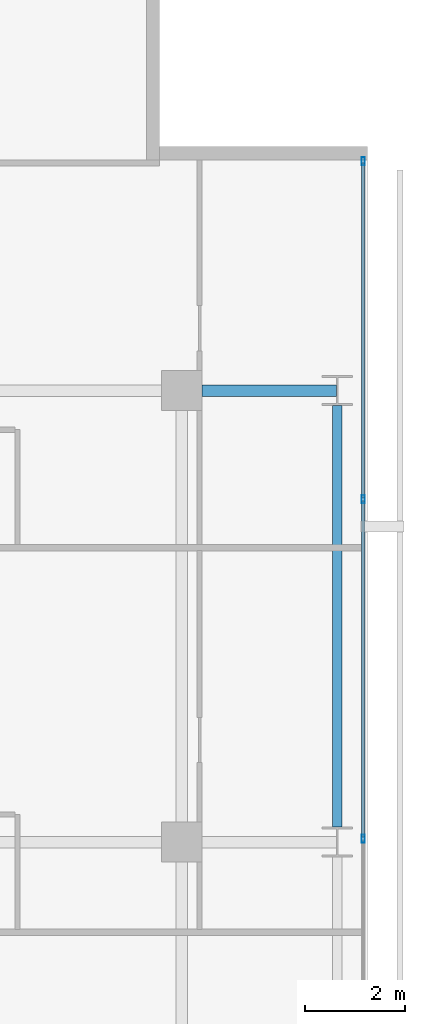
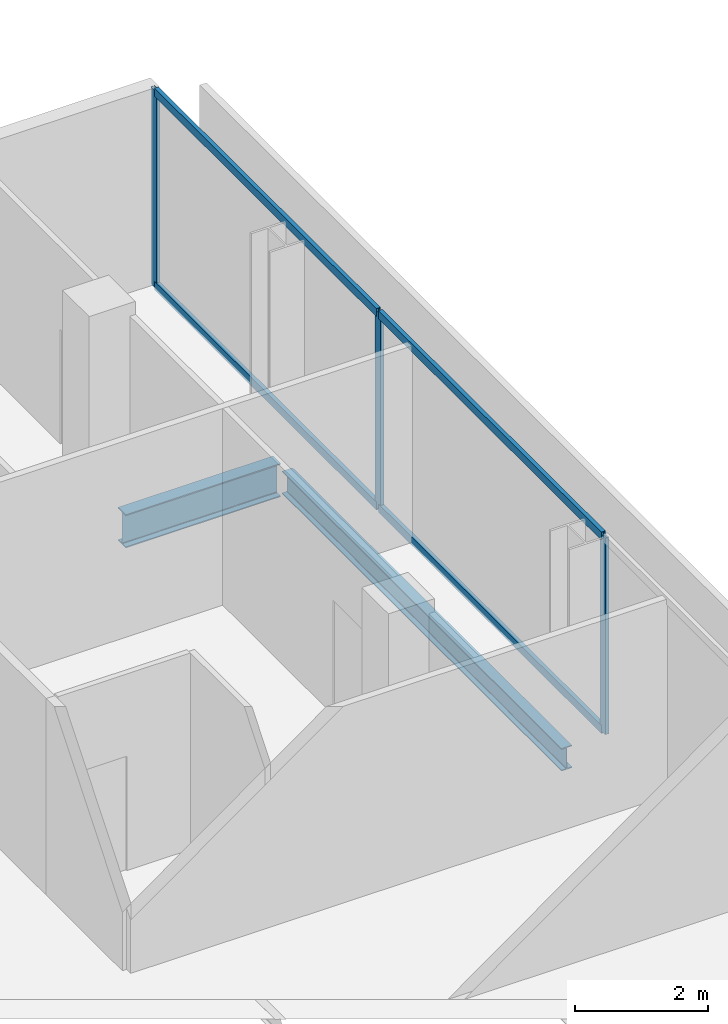
# One storey, part 24 of 33: 7 members, 2 beams, 1 element without a shape of its own.
"""IFC4 building model written with IfcOpenShell, lengths in metres."""

import ifcopenshell
import ifcopenshell.guid

model = None  # the IFC model being written
_history = None  # IfcOwnerHistory: only IFC2X3 demands one
_inside = {}  # id of a spatial element -> (the spatial element, [elements in it])
_under = {}  # id of a project, library or spatial element -> (it, [spatial elements below it])
_declared = {}  # id of a project -> (the project, [libraries it declares])
_typed = {}  # id of a type object -> (the type object, [elements of that type])
_made_of = {}  # id of a material, layer set ... -> (it, [elements and type objects made of it])


def new_model(schema):
    """Start an empty IFC model of exactly this schema.

    Asked for "IFC4X3", IfcOpenShell would pick the latest addendum, in which some entities
    have other attributes; the version numbers below select the first issue.
    IFC2X3 requires an IfcOwnerHistory on every rooted entity: one is made here for all.
    """
    global model, _history
    if schema == "IFC4X3":
        model = ifcopenshell.file(schema_version=(4, 3, 0, 0))
    else:
        model = ifcopenshell.file(schema=schema)
    _inside.clear()
    _under.clear()
    _declared.clear()
    _typed.clear()
    _made_of.clear()
    _history = None
    if model.schema == "IFC2X3":
        org = make("IfcOrganization", Name="unknown")
        user = make(
            "IfcPersonAndOrganization",
            ThePerson=make("IfcPerson", FamilyName="unknown"),
            TheOrganization=org,
        )
        app = make(
            "IfcApplication",
            ApplicationDeveloper=org,
            Version="unknown",
            ApplicationFullName="unknown",
            ApplicationIdentifier="unknown",
        )
        _history = make(
            "IfcOwnerHistory",
            OwningUser=user,
            OwningApplication=app,
            ChangeAction="ADDED",
            CreationDate=0,
        )
    return model


def make(cls, **values):
    """One entity of the class cls with the attributes given. An attribute that is None is left unset."""
    return model.create_entity(
        cls, **{name: value for name, value in values.items() if value is not None}
    )


def rooted(cls, **values):
    """An entity with a GlobalId (a new one), such as an element, a storey or a relation."""
    return make(cls, GlobalId=ifcopenshell.guid.new(), OwnerHistory=_history, **values)


def si_unit(unit_type, name, prefix=None):
    """IfcSIUnit, for example si_unit("LENGTHUNIT", "METRE", prefix="MILLI")."""
    return make("IfcSIUnit", UnitType=unit_type, Prefix=prefix, Name=name)


def assignment(units):
    """IfcUnitAssignment: the units of a project."""
    return None if units is None else make("IfcUnitAssignment", Units=units)


def point(xyz):
    """IfcCartesianPoint."""
    return None if xyz is None else make("IfcCartesianPoint", Coordinates=xyz)


def direction(xyz):
    """IfcDirection."""
    return None if xyz is None else make("IfcDirection", DirectionRatios=xyz)


def frame(location, z_axis=None, x_axis=None):
    """IfcAxis2Placement3D, a coordinate frame: its origin and axes. An axis left out is left unset."""
    return make(
        "IfcAxis2Placement3D",
        Location=point(location),
        Axis=direction(z_axis),
        RefDirection=direction(x_axis),
    )


def frame_2d(location, x_axis=None):
    """IfcAxis2Placement2D, a coordinate frame in the plane: its origin and x axis."""
    return make(
        "IfcAxis2Placement2D", Location=point(location), RefDirection=direction(x_axis)
    )


def origin():
    """The frame at (0, 0, 0) with its axes left unset."""
    return frame((0.0, 0.0, 0.0))


def origin_2d():
    """The frame at (0, 0) in the plane with its x axis left unset."""
    return frame_2d((0.0, 0.0))


def place(relative_to, where):
    """IfcLocalPlacement: puts the frame where relative to a parent placement (None: the world)."""
    return make(
        "IfcLocalPlacement", PlacementRelTo=relative_to, RelativePlacement=where
    )


def context(
    kind, dimensions, precision=None, world=None, true_north=None, identifier=None
):
    """IfcGeometricRepresentationContext, for example the 3D "Model" context."""
    return make(
        "IfcGeometricRepresentationContext",
        ContextIdentifier=identifier,
        ContextType=kind,
        CoordinateSpaceDimension=dimensions,
        Precision=precision,
        WorldCoordinateSystem=world,
        TrueNorth=true_north,
    )


def subcontext(parent, identifier, kind, view, scale=None):
    """IfcGeometricRepresentationSubContext, for example "Body" below "Model"."""
    return make(
        "IfcGeometricRepresentationSubContext",
        ContextIdentifier=identifier,
        ContextType=kind,
        ParentContext=parent,
        TargetScale=scale,
        TargetView=view,
    )


def project(units=None, contexts=None):
    """IfcProject with its units and contexts."""
    return rooted(
        "IfcProject",
        Name="project",
        RepresentationContexts=contexts,
        UnitsInContext=assignment(units),
    )


def spatial(cls, under=None, at=None, **own):
    """A site, building, storey or space (cls), placed at a placement, below another one or the project."""
    s = rooted(cls, ObjectPlacement=at, **own)
    if under is not None:
        _under.setdefault(under.id(), (under, []))[1].append(s)
    return s


def profile(cls, at=None, kind="AREA", **sizes):
    """A parametric profile (cls). Its sizes go by their IFC names, for example OverallWidth=200.0."""
    return make(cls, ProfileType=kind, Position=at, **sizes)


def hollow_rectangle(**sizes):
    """IfcRectangleHollowProfileDef."""
    return profile("IfcRectangleHollowProfileDef", **sizes)


def i_section(**sizes):
    """IfcIShapeProfileDef."""
    return profile("IfcIShapeProfileDef", **sizes)


def extrude(swept, where, along, depth):
    """IfcExtrudedAreaSolid: the profile swept, set in the frame where, extruded along a direction by depth."""
    return make(
        "IfcExtrudedAreaSolid",
        SweptArea=swept,
        Position=where,
        ExtrudedDirection=direction(along),
        Depth=depth,
    )


def shape(context_of_items, identifier, shape_type, items):
    """IfcShapeRepresentation: the items that make up one representation, for example the "Body"."""
    return make(
        "IfcShapeRepresentation",
        ContextOfItems=context_of_items,
        RepresentationIdentifier=identifier,
        RepresentationType=shape_type,
        Items=items,
    )


def material(Name=None, Category=None):
    """IfcMaterial."""
    return make("IfcMaterial", Name=Name, Category=Category)


def layer(
    of_material, thickness, ventilated=None, Name=None, Category=None, Priority=None
):
    """IfcMaterialLayer: one layer of a wall or slab, of a material (None: an air gap)."""
    return make(
        "IfcMaterialLayer",
        Material=of_material,
        LayerThickness=thickness,
        IsVentilated=ventilated,
        Name=Name,
        Category=Category,
        Priority=Priority,
    )


def layer_set(layers, Name=None):
    """IfcMaterialLayerSet."""
    return make("IfcMaterialLayerSet", MaterialLayers=layers, LayerSetName=Name)


def material_profile(
    of_material, cross_section, Name=None, Category=None, Priority=None
):
    """IfcMaterialProfile: a cross section and its material."""
    return make(
        "IfcMaterialProfile",
        Name=Name,
        Material=of_material,
        Profile=cross_section,
        Priority=Priority,
        Category=Category,
    )


def profile_set(profiles, Name=None, composite=None):
    """IfcMaterialProfileSet."""
    return make(
        "IfcMaterialProfileSet",
        Name=Name,
        MaterialProfiles=profiles,
        CompositeProfile=composite,
    )


def made_of(thing, what):
    """Note that an element or type object is made of a material, layer set ...; save() writes the relation."""
    if what is not None:
        _made_of.setdefault(what.id(), (what, []))[1].append(thing)
    return thing


def type_object(cls, material=None, **own):
    """A type object (cls), such as IfcWallType, which elements share."""
    return made_of(rooted(cls, **own), material)


def element(
    cls,
    number,
    at=None,
    inside=None,
    cuts=None,
    type_object=None,
    material=None,
    context=None,
    identifier="Body",
    shape_type=None,
    held_by="IfcProductDefinitionShape",
    body=None,
    shapes=None,
    **own,
):
    """One element of the class cls, such as IfcWall. Its Tag is "e" and its number.

    at: its placement. inside: the storey or other place that contains it. cuts: it is an
    opening in that element (IfcRelVoidsElement). A single representation is given by context,
    identifier, shape_type and body (its items); several are given by shapes. held_by: the class
    of the entity that holds the representations. save() writes the other relations.
    """
    e = rooted(cls, Tag="e%d" % number, ObjectPlacement=at, **own)
    if body is not None:
        shapes = [shape(context, identifier, shape_type, body)]
    if shapes is not None:
        e.Representation = make(held_by, Representations=shapes)
    if inside is not None:
        _inside.setdefault(inside.id(), (inside, []))[1].append(e)
    if cuts is not None:
        rooted(
            "IfcRelVoidsElement", RelatingBuildingElement=cuts, RelatedOpeningElement=e
        )
    if type_object is not None:
        _typed.setdefault(type_object.id(), (type_object, []))[1].append(e)
    return made_of(e, material)


def aggregate(whole, parts):
    """IfcRelAggregates: a whole, such as a stair, and the parts it consists of."""
    return rooted("IfcRelAggregates", RelatingObject=whole, RelatedObjects=parts)


def save(model, path):
    """Write the relations noted so far, then the file.

    IfcRelAggregates (storeys below a building ...), IfcRelContainedInSpatialStructure (elements
    in a storey), IfcRelDefinesByType, IfcRelAssociatesMaterial and IfcRelDeclares: one each for
    every whole, place, type object, material and project.
    """
    for whole, parts in _under.values():
        aggregate(whole, parts)
    for where, things in _inside.values():
        rooted(
            "IfcRelContainedInSpatialStructure",
            RelatedElements=things,
            RelatingStructure=where,
        )
    for kind, things in _typed.values():
        rooted("IfcRelDefinesByType", RelatedObjects=things, RelatingType=kind)
    for what, things in _made_of.values():
        rooted("IfcRelAssociatesMaterial", RelatedObjects=things, RelatingMaterial=what)
    for by, libraries in _declared.values():
        rooted("IfcRelDeclares", RelatingContext=by, RelatedDefinitions=libraries)
    model.write(path)


model = new_model("IFC4")

# Units and contexts
model_context = context("Model", 3, precision=1e-05, world=origin(), true_north=direction((0.0, 1.0)))
body_context = subcontext(model_context, "Body", "Model", "MODEL_VIEW")
ifc_project = project(units=[si_unit("LENGTHUNIT", "METRE"), si_unit("AREAUNIT", "SQUARE_METRE"), si_unit("VOLUMEUNIT", "CUBIC_METRE"), si_unit("PLANEANGLEUNIT", "RADIAN"), si_unit("MASSUNIT", "GRAM", prefix="KILO")], contexts=[model_context])

# Site, building, storey
site_placement = place(None, origin())
site = spatial("IfcSite", under=ifc_project, at=site_placement, CompositionType="ELEMENT")
building_placement = place(site_placement, origin())
building = spatial("IfcBuilding", under=site, at=building_placement, Name="Maruvema Waterfront Hotel and Observation Tower", CompositionType="ELEMENT")
storey_placement = place(building_placement, frame((0.0, 0.0, 142.800048828125)))
storey = spatial("IfcBuildingStorey", under=building, at=storey_placement, Name="L34", CompositionType="ELEMENT", Elevation=142.800048828125)

# Curtain wall, members
ifc_material_1 = material(Name="Anodised bronze aluminium and solar-control low-E IGU", Category="aluminium")
ifc_layer = layer(ifc_material_1, 0.159912109375, Name="Zone 2 Amber Inner Thermal Curtain Wall System CW-03")
ifc_layer_set = layer_set([ifc_layer], Name="Anodised bronze aluminium and solar-control low-E IGU")
curtain_wall_type = type_object("IfcCurtainWallType", Name="Zone 2 Amber Inner Thermal Curtain Wall System CW-03", PredefinedType="USERDEFINED", material=ifc_layer_set)
curtain_wall_placement = place(storey_placement, origin())
curtain_wall = element("IfcCurtainWall", 1, at=curtain_wall_placement, inside=storey, type_object=curtain_wall_type, Name="L34 Curtain Wall CW-L34-E", ObjectType="UNITISED CURTAIN WALL", PredefinedType="USERDEFINED")
ifc_material_2 = material(Name="Anodised architectural bronze aluminium", Category="aluminium")
ifc_material_profile_1 = material_profile(ifc_material_2, hollow_rectangle(XDim=0.070068359375, YDim=0.14990234375, WallThickness=0.00390625, at=origin_2d()), Name="ALU-T70x150")
ifc_profile_set_1 = profile_set([ifc_material_profile_1], Name="Anodised architectural bronze aluminium")
member_type_1 = type_object("IfcMemberType", Name="Curtain Wall Horizontal Transom ALU-T70x150", PredefinedType="USERDEFINED", material=ifc_profile_set_1)
member_1_placement = place(storey_placement, frame((62.419921875, 36.0966796875, 0.030029296875), z_axis=(0.0, 1.0, 0.0), x_axis=(-1.0, 0.0, 0.0)))
member_1 = element("IfcMember", 2, at=member_1_placement, type_object=member_type_1, Name="CW-03 transom 5.1", ObjectType="TRANSOM", PredefinedType="USERDEFINED", context=body_context, shape_type="SweptSolid", body=[
    extrude(hollow_rectangle(XDim=0.070068359375, YDim=0.14990234375, WallThickness=0.00390625, at=origin_2d()), origin(), (0.0, 0.0, 1.0), 6.70654296875),
])
member_2_placement = place(storey_placement, frame((62.419921875, 36.0966796875, 3.579833984375), z_axis=(0.0, 1.0, 0.0), x_axis=(-1.0, 0.0, 0.0)))
member_2 = element("IfcMember", 3, at=member_2_placement, type_object=member_type_1, Name="CW-03 transom 5.2", ObjectType="TRANSOM", PredefinedType="USERDEFINED", context=body_context, shape_type="SweptSolid", body=[
    extrude(hollow_rectangle(XDim=0.070068359375, YDim=0.14990234375, WallThickness=0.00390625, at=origin_2d()), origin(), (0.0, 0.0, 1.0), 6.70654296875),
])
member_3_placement = place(storey_placement, frame((62.419921875, 42.86328125, 0.030029296875), z_axis=(0.0, 1.0, 0.0), x_axis=(-1.0, 0.0, 0.0)))
member_3 = element("IfcMember", 4, at=member_3_placement, type_object=member_type_1, Name="CW-03 transom 6.1", ObjectType="TRANSOM", PredefinedType="USERDEFINED", context=body_context, shape_type="SweptSolid", body=[
    extrude(hollow_rectangle(XDim=0.070068359375, YDim=0.14990234375, WallThickness=0.00390625, at=origin_2d()), origin(), (0.0, 0.0, 1.0), 6.6767578125),
])
member_4_placement = place(storey_placement, frame((62.419921875, 42.86328125, 3.579833984375), z_axis=(0.0, 1.0, 0.0), x_axis=(-1.0, 0.0, 0.0)))
member_4 = element("IfcMember", 5, at=member_4_placement, type_object=member_type_1, Name="CW-03 transom 6.2", ObjectType="TRANSOM", PredefinedType="USERDEFINED", context=body_context, shape_type="SweptSolid", body=[
    extrude(hollow_rectangle(XDim=0.070068359375, YDim=0.14990234375, WallThickness=0.00390625, at=origin_2d()), origin(), (0.0, 0.0, 1.0), 6.6767578125),
])
ifc_material_3 = material(Name="Anodised architectural bronze aluminium", Category="aluminium")
ifc_material_profile_2 = material_profile(ifc_material_3, hollow_rectangle(XDim=0.06494140625, YDim=0.1650390625, WallThickness=0.00390625, at=origin_2d()), Name="ALU-M65x165")
ifc_profile_set_2 = profile_set([ifc_material_profile_2], Name="Anodised architectural bronze aluminium")
member_type_2 = type_object("IfcMemberType", Name="Curtain Wall Primary Mullion ALU-M65x165", PredefinedType="MULLION", material=ifc_profile_set_2)
member_5_placement = place(storey_placement, frame((62.419921875, 36.066650390625, 0.0), z_axis=(0.0, 0.0, 1.0), x_axis=(-1.0, 0.0, 0.0)))
member_5 = element("IfcMember", 6, at=member_5_placement, type_object=member_type_2, Name="CW-03 mullion 5", PredefinedType="MULLION", context=body_context, shape_type="SweptSolid", body=[
    extrude(hollow_rectangle(XDim=0.06494140625, YDim=0.1650390625, WallThickness=0.00390625, at=origin_2d()), origin(), (0.0, 0.0, 1.0), 3.60986328125),
])
member_6_placement = place(storey_placement, frame((62.419921875, 42.833251953125, 0.0), z_axis=(0.0, 0.0, 1.0), x_axis=(-1.0, 0.0, 0.0)))
member_6 = element("IfcMember", 7, at=member_6_placement, type_object=member_type_2, Name="CW-03 mullion 6", PredefinedType="MULLION", context=body_context, shape_type="SweptSolid", body=[
    extrude(hollow_rectangle(XDim=0.06494140625, YDim=0.1650390625, WallThickness=0.00390625, at=origin_2d()), origin(), (0.0, 0.0, 1.0), 3.60986328125),
])
member_7_placement = place(storey_placement, frame((62.419921875, 49.570068359375, 0.0), z_axis=(0.0, 0.0, 1.0), x_axis=(-1.0, 0.0, 0.0)))
member_7 = element("IfcMember", 8, at=member_7_placement, type_object=member_type_2, Name="CW-03 mullion 7", PredefinedType="MULLION", context=body_context, shape_type="SweptSolid", body=[
    extrude(hollow_rectangle(XDim=0.06494140625, YDim=0.1650390625, WallThickness=0.00390625, at=origin_2d()), origin(), (0.0, 0.0, 1.0), 3.60986328125),
])
aggregate(curtain_wall, [member_5, member_6, member_7, member_1, member_2, member_3, member_4])

# Beams
ifc_material_4 = material(Name="Steel ASTM A572 Grade 50", Category="steel")
ifc_material_profile_3 = material_profile(ifc_material_4, i_section(OverallWidth=0.180908203125, OverallDepth=0.4169921875, WebThickness=0.010986328125, FlangeThickness=0.018310546875, FilletRadius=0.014892578125, at=origin_2d()), Name="W410x85.0")
ifc_profile_set_3 = profile_set([ifc_material_profile_3], Name="Steel ASTM A572 Grade 50")
beam_type_1 = type_object("IfcBeamType", Name="Perimeter Spandrel Beam W410x85.0", PredefinedType="SPANDREL", material=ifc_profile_set_3)
beam_1_placement = place(storey_placement, frame((61.89990234375, 36.300048828125, -0.448486328125), z_axis=(0.0, 1.0, 0.0), x_axis=(-1.0, 0.0, 0.0)))
element("IfcBeam", 9, at=beam_1_placement, inside=storey, type_object=beam_type_1, Name="L34 Floor Girder NS-32", PredefinedType="SPANDREL", context=body_context, shape_type="SweptSolid", body=[
    extrude(i_section(OverallWidth=0.180908203125, OverallDepth=0.4169921875, WebThickness=0.010986328125, FlangeThickness=0.018310546875, FilletRadius=0.014892578125, at=origin_2d()), origin(), (0.0, 0.0, 1.0), 8.39990234375),
])
ifc_material_5 = material(Name="Steel ASTM A572 Grade 50", Category="steel")
ifc_material_profile_4 = material_profile(ifc_material_5, i_section(OverallWidth=0.22900390625, OverallDepth=0.612060546875, WebThickness=0.011962890625, FlangeThickness=0.01953125, FilletRadius=0.01806640625, at=origin_2d()), Name="W610x125.0")
ifc_profile_set_4 = profile_set([ifc_material_profile_4], Name="Steel ASTM A572 Grade 50")
beam_type_2 = type_object("IfcBeamType", Name="Primary Floor Girder W610x125.0", PredefinedType="BEAM", material=ifc_profile_set_4)
beam_2_placement = place(storey_placement, frame((59.199951171875, 45.0, -0.546142578125), z_axis=(1.0, 0.0, 0.0), x_axis=(0.0, 1.0, 0.0)))
element("IfcBeam", 10, at=beam_2_placement, inside=storey, type_object=beam_type_2, Name="L34 Floor Girder EW-33", PredefinedType="BEAM", context=body_context, shape_type="SweptSolid", body=[
    extrude(i_section(OverallWidth=0.22900390625, OverallDepth=0.612060546875, WebThickness=0.011962890625, FlangeThickness=0.01953125, FilletRadius=0.01806640625, at=origin_2d()), origin(), (0.0, 0.0, 1.0), 2.6875),
])

save(model, "model.ifc")
